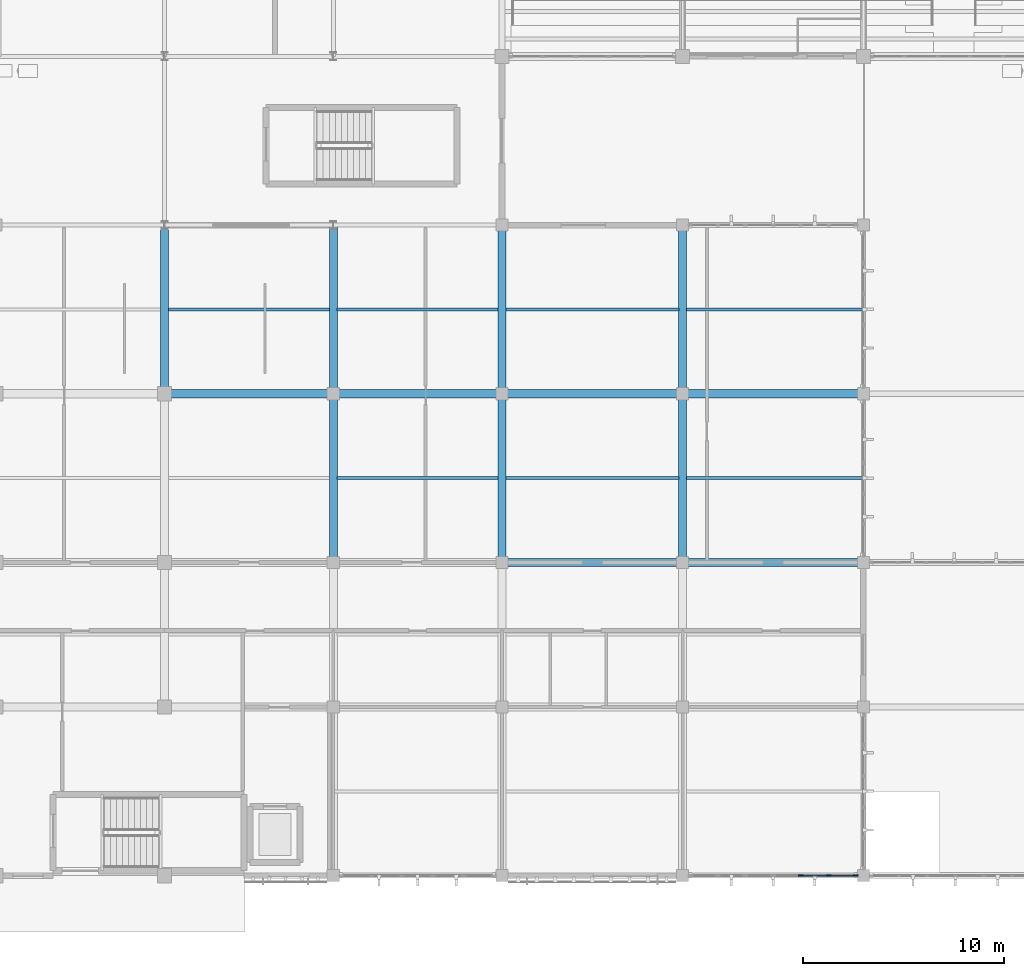
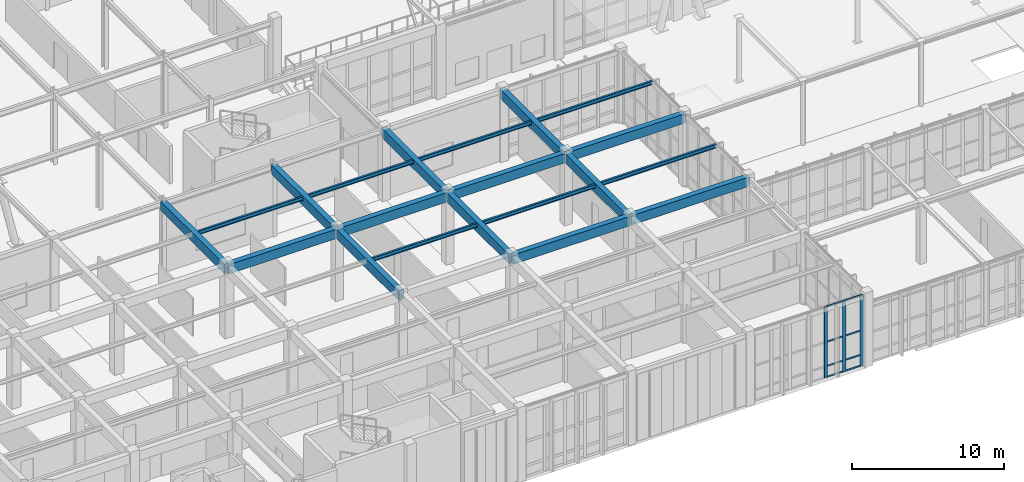
# One storey, part 27 of 110: 20 beams, 11 members, 1 element without a shape of its own.
"""IFC4 building model written with IfcOpenShell, lengths in metres."""

from ifc_helpers import new_model, si_unit, direction, frame, origin, origin_2d, place, context, subcontext, project, spatial, rectangle, i_section, extrude, material, material_profile, profile_set, type_object, element, aggregate, save


model = new_model("IFC4")

# Units and contexts
model_context = context("Model", 3, precision=1e-05, world=origin(), true_north=direction((0.0, 1.0)))
body_context = subcontext(model_context, "Body", "Model", "MODEL_VIEW")
ifc_project = project(units=[si_unit("LENGTHUNIT", "METRE"), si_unit("AREAUNIT", "SQUARE_METRE"), si_unit("VOLUMEUNIT", "CUBIC_METRE"), si_unit("PLANEANGLEUNIT", "RADIAN"), si_unit("MASSUNIT", "GRAM", prefix="KILO")], contexts=[model_context])

# Site, building, storey
site_placement = place(None, origin())
site = spatial("IfcSite", under=ifc_project, at=site_placement, CompositionType="ELEMENT")
building_placement = place(site_placement, origin())
building = spatial("IfcBuilding", under=site, at=building_placement, Name="Tizgana Railside Sports Hall", CompositionType="ELEMENT")
storey_placement = place(building_placement, origin())
storey = spatial("IfcBuildingStorey", under=building, at=storey_placement, Name="L00", CompositionType="ELEMENT", Elevation=0.0)

# Beams
ifc_material_1 = material(Name="Concrete C35/45", Category="concrete")
ifc_material_profile_1 = material_profile(ifc_material_1, rectangle(XDim=0.39990234375, YDim=0.75, at=origin_2d()), Name="RCB 400x750")
ifc_profile_set_1 = profile_set([ifc_material_profile_1], Name="Concrete C35/45")
beam_type_1 = type_object("IfcBeamType", Name="Concrete Beam RCB 400x750", PredefinedType="BEAM", material=ifc_profile_set_1)
for number, where, z_axis, x_axis, name in (
    (1, (63.0, 24.0, 5.35107421875), (0.0, 1.0, 0.0), (-1.0, 0.0, 0.0), "L00 BEM-0361"),
    (2, (71.39990234375, 15.60009765625, 5.37109375), (0.0, 1.0, 0.0), (-1.0, 0.0, 0.0), "L00 BEM-0364"),
    (3, (71.39990234375, 24.0, 5.35107421875), (0.0, 1.0, 0.0), (-1.0, 0.0, 0.0), "L00 BEM-0365"),
    (4, (79.800048828125, 15.60009765625, 5.37109375), (0.0, 1.0, 0.0), (-1.0, 0.0, 0.0), "L00 BEM-0368"),
    (5, (79.800048828125, 24.0, 5.37109375), (0.0, 1.0, 0.0), (-1.0, 0.0, 0.0), "L00 BEM-0369"),
    (6, (88.800048828125, 15.60009765625, 5.37109375), (0.0, 1.0, 0.0), (-1.0, 0.0, 0.0), "L00 BEM-0372"),
    (7, (88.800048828125, 24.0, 5.37109375), (0.0, 1.0, 0.0), (-1.0, 0.0, 0.0), "L00 BEM-0373"),
    (8, (63.0, 24.0, 5.37109375), (1.0, 0.0, 0.0), (0.0, 1.0, 0.0), "L00 BEM-0433"),
):
    element("IfcBeam", number, at=place(storey_placement, frame(where, z_axis=z_axis, x_axis=x_axis)), inside=storey, type_object=beam_type_1, Name=name, PredefinedType="BEAM", context=body_context, shape_type="SweptSolid", body=[
        extrude(rectangle(XDim=0.39990234375, YDim=0.75, at=origin_2d()), origin(), (0.0, 0.0, 1.0), 8.39990234375),
    ])
beam_placement = place(storey_placement, frame((71.39990234375, 24.0, 5.37109375), z_axis=(1.0, 0.0, 0.0), x_axis=(0.0, 1.0, 0.0)))
element("IfcBeam", 9, at=beam_placement, inside=storey, type_object=beam_type_1, Name="L00 BEM-0441", PredefinedType="BEAM", context=body_context, shape_type="SweptSolid", body=[
    extrude(rectangle(XDim=0.39990234375, YDim=0.75, at=origin_2d()), origin(), (0.0, 0.0, 1.0), 8.400146484375),
])
for number, where, z_axis, x_axis, name in (
    (10, (79.800048828125, 15.60009765625, 5.37109375), (1.0, 0.0, 0.0), (0.0, 1.0, 0.0), "L00 BEM-0449"),
    (11, (79.800048828125, 24.0, 5.37109375), (1.0, 0.0, 0.0), (0.0, 1.0, 0.0), "L00 BEM-0450"),
    (12, (88.800048828125, 15.60009765625, 5.37109375), (1.0, 0.0, 0.0), (0.0, 1.0, 0.0), "L00 BEM-0458"),
    (13, (88.800048828125, 24.0, 5.37109375), (1.0, 0.0, 0.0), (0.0, 1.0, 0.0), "L00 BEM-0459"),
):
    element("IfcBeam", number, at=place(storey_placement, frame(where, z_axis=z_axis, x_axis=x_axis)), inside=storey, type_object=beam_type_1, Name=name, PredefinedType="BEAM", context=body_context, shape_type="SweptSolid", body=[
        extrude(rectangle(XDim=0.39990234375, YDim=0.75, at=origin_2d()), origin(), (0.0, 0.0, 1.0), 9.0),
    ])

# Curtain wall, members
ifc_material_2 = material(Name="Anodised aluminium and glass", Category="aluminium")
curtain_wall_type = type_object("IfcCurtainWallType", Name="Unitised Curtain Wall Passage 1800", PredefinedType="NOTDEFINED", material=ifc_material_2)
curtain_wall_placement = place(storey_placement, origin())
curtain_wall = element("IfcCurtainWall", 14, at=curtain_wall_placement, inside=storey, type_object=curtain_wall_type, Name="L00 Curtain Wall CW-0077", PredefinedType="NOTDEFINED")
ifc_material_3 = material(Name="Anodised aluminium", Category="aluminium")
ifc_material_profile_2 = material_profile(ifc_material_3, rectangle(XDim=0.074951171875, YDim=0.25, at=origin_2d()), Name="Mullion 75x250")
ifc_profile_set_2 = profile_set([ifc_material_profile_2], Name="Anodised aluminium")
member_type_1 = type_object("IfcMemberType", Name="Mullion 75x250", PredefinedType="MULLION", material=ifc_profile_set_2)
member_1_placement = place(storey_placement, frame((97.407470703125, 0.0, 0.044921875), z_axis=(0.0, 0.0, 1.0), x_axis=(0.0, -1.0, 0.0)))
member_1 = element("IfcMember", 15, at=member_1_placement, type_object=member_type_1, Name="CW-06 mullion 1", PredefinedType="MULLION", context=body_context, shape_type="SweptSolid", body=[
    extrude(rectangle(XDim=0.074951171875, YDim=0.25, at=origin_2d()), origin(), (0.0, 0.0, 1.0), 5.705078125),
])
member_2_placement = place(storey_placement, frame((96.063232421875, 0.0, 0.044921875), z_axis=(0.0, 0.0, 1.0), x_axis=(0.0, -1.0, 0.0)))
member_2 = element("IfcMember", 16, at=member_2_placement, type_object=member_type_1, Name="CW-06 mullion 2", PredefinedType="MULLION", context=body_context, shape_type="SweptSolid", body=[
    extrude(rectangle(XDim=0.074951171875, YDim=0.25, at=origin_2d()), origin(), (0.0, 0.0, 1.0), 5.705078125),
])
member_3_placement = place(storey_placement, frame((94.681640625, 0.0, 0.044921875), z_axis=(0.0, 0.0, 1.0), x_axis=(0.0, -1.0, 0.0)))
member_3 = element("IfcMember", 17, at=member_3_placement, type_object=member_type_1, Name="CW-06 mullion 3", PredefinedType="MULLION", context=body_context, shape_type="SweptSolid", body=[
    extrude(rectangle(XDim=0.074951171875, YDim=0.25, at=origin_2d()), origin(), (0.0, 0.0, 1.0), 5.705078125),
])

# Beams
ifc_material_4 = material(Name="Steel S355J2", Category="steel")
ifc_material_profile_3 = material_profile(ifc_material_4, i_section(OverallWidth=0.14990234375, OverallDepth=0.300048828125, WebThickness=0.007080078125, FlangeThickness=0.0107421875, FilletRadius=0.014892578125, at=origin_2d()), Name="IPE 300")
ifc_profile_set_3 = profile_set([ifc_material_profile_3], Name="Steel S355J2")
beam_type_2 = type_object("IfcBeamType", Name="Steel Joist IPE 300", PredefinedType="JOIST", material=ifc_profile_set_3)
for number, where, z_axis, x_axis, name in (
    (18, (63.195068359375, 28.199951171875, 5.595947265625), (1.0, 0.0, 0.0), (0.0, 1.0, 0.0), "L00 BEM-0437"),
    (19, (71.594970703125, 19.800048828125, 5.595947265625), (1.0, 0.0, 0.0), (0.0, 1.0, 0.0), "L00 BEM-0445"),
    (20, (71.594970703125, 28.199951171875, 5.595947265625), (1.0, 0.0, 0.0), (0.0, 1.0, 0.0), "L00 BEM-0446"),
):
    element("IfcBeam", number, at=place(storey_placement, frame(where, z_axis=z_axis, x_axis=x_axis)), inside=storey, type_object=beam_type_2, Name=name, PredefinedType="JOIST", context=body_context, shape_type="SweptSolid", body=[
        extrude(i_section(OverallWidth=0.14990234375, OverallDepth=0.300048828125, WebThickness=0.007080078125, FlangeThickness=0.0107421875, FilletRadius=0.014892578125, at=origin_2d()), origin(), (0.0, 0.0, 1.0), 8.010009765625),
    ])
for number, where, z_axis, x_axis, name in (
    (21, (79.9951171875, 19.800048828125, 5.595947265625), (1.0, 0.0, 0.0), (0.0, 1.0, 0.0), "L00 BEM-0454"),
    (22, (79.9951171875, 28.199951171875, 5.595947265625), (1.0, 0.0, 0.0), (0.0, 1.0, 0.0), "L00 BEM-0455"),
):
    element("IfcBeam", number, at=place(storey_placement, frame(where, z_axis=z_axis, x_axis=x_axis)), inside=storey, type_object=beam_type_2, Name=name, PredefinedType="JOIST", context=body_context, shape_type="SweptSolid", body=[
        extrude(i_section(OverallWidth=0.14990234375, OverallDepth=0.300048828125, WebThickness=0.007080078125, FlangeThickness=0.0107421875, FilletRadius=0.014892578125, at=origin_2d()), origin(), (0.0, 0.0, 1.0), 8.60986328125),
    ])
for number, where, z_axis, x_axis, name in (
    (23, (88.9951171875, 19.800048828125, 5.595947265625), (1.0, 0.0, 0.0), (0.0, 1.0, 0.0), "L00 BEM-0463"),
    (24, (88.9951171875, 28.199951171875, 5.595947265625), (1.0, 0.0, 0.0), (0.0, 1.0, 0.0), "L00 BEM-0464"),
):
    element("IfcBeam", number, at=place(storey_placement, frame(where, z_axis=z_axis, x_axis=x_axis)), inside=storey, type_object=beam_type_2, Name=name, PredefinedType="JOIST", context=body_context, shape_type="SweptSolid", body=[
        extrude(i_section(OverallWidth=0.14990234375, OverallDepth=0.300048828125, WebThickness=0.007080078125, FlangeThickness=0.0107421875, FilletRadius=0.014892578125, at=origin_2d()), origin(), (0.0, 0.0, 1.0), 8.804931640625),
    ])

# Member
ifc_material_profile_4 = material_profile(ifc_material_3, rectangle(XDim=0.054931640625, YDim=0.1201171875, at=origin_2d()), Name="Transom 55x120")
ifc_profile_set_4 = profile_set([ifc_material_profile_4], Name="Anodised aluminium")
member_type_2 = type_object("IfcMemberType", Name="Transom 55x120", PredefinedType="USERDEFINED", material=ifc_profile_set_4)
member_4_placement = place(storey_placement, frame((97.3701171875, 0.0, 0.072509765625), z_axis=(-1.0, 0.0, 0.0), x_axis=(0.0, -1.0, 0.0)))
member_4 = element("IfcMember", 25, at=member_4_placement, type_object=member_type_2, Name="CW-06 transom 1.1", ObjectType="TRANSOM", PredefinedType="USERDEFINED", context=body_context, shape_type="SweptSolid", body=[
    extrude(rectangle(XDim=0.054931640625, YDim=0.1201171875, at=origin_2d()), origin(), (0.0, 0.0, 1.0), 1.269287109375),
])

member_5_placement = place(storey_placement, frame((97.3701171875, 0.0, 0.945068359375), z_axis=(-1.0, 0.0, 0.0), x_axis=(0.0, -1.0, 0.0)))
member_5 = element("IfcMember", 26, at=member_5_placement, type_object=member_type_2, Name="CW-06 transom 1.2", ObjectType="TRANSOM", PredefinedType="USERDEFINED", context=body_context, shape_type="SweptSolid", body=[
    extrude(rectangle(XDim=0.054931640625, YDim=0.1201171875, at=origin_2d()), origin(), (0.0, 0.0, 1.0), 1.269287109375),
])

member_6_placement = place(storey_placement, frame((97.3701171875, 0.0, 2.8974609375), z_axis=(-1.0, 0.0, 0.0), x_axis=(0.0, -1.0, 0.0)))
member_6 = element("IfcMember", 27, at=member_6_placement, type_object=member_type_2, Name="CW-06 transom 1.3", ObjectType="TRANSOM", PredefinedType="USERDEFINED", context=body_context, shape_type="SweptSolid", body=[
    extrude(rectangle(XDim=0.054931640625, YDim=0.1201171875, at=origin_2d()), origin(), (0.0, 0.0, 1.0), 1.269287109375),
])

member_7_placement = place(storey_placement, frame((97.3701171875, 0.0, 5.722412109375), z_axis=(-1.0, 0.0, 0.0), x_axis=(0.0, -1.0, 0.0)))
member_7 = element("IfcMember", 28, at=member_7_placement, type_object=member_type_2, Name="CW-06 transom 1.4", ObjectType="TRANSOM", PredefinedType="USERDEFINED", context=body_context, shape_type="SweptSolid", body=[
    extrude(rectangle(XDim=0.054931640625, YDim=0.1201171875, at=origin_2d()), origin(), (0.0, 0.0, 1.0), 1.269287109375),
])

member_8_placement = place(storey_placement, frame((96.02587890625, 0.0, 0.072509765625), z_axis=(-1.0, 0.0, 0.0), x_axis=(0.0, -1.0, 0.0)))
member_8 = element("IfcMember", 29, at=member_8_placement, type_object=member_type_2, Name="CW-06 transom 2.1", ObjectType="TRANSOM", PredefinedType="USERDEFINED", context=body_context, shape_type="SweptSolid", body=[
    extrude(rectangle(XDim=0.054931640625, YDim=0.1201171875, at=origin_2d()), origin(), (0.0, 0.0, 1.0), 1.306640625),
])

member_9_placement = place(storey_placement, frame((96.02587890625, 0.0, 0.945068359375), z_axis=(-1.0, 0.0, 0.0), x_axis=(0.0, -1.0, 0.0)))
member_9 = element("IfcMember", 30, at=member_9_placement, type_object=member_type_2, Name="CW-06 transom 2.2", ObjectType="TRANSOM", PredefinedType="USERDEFINED", context=body_context, shape_type="SweptSolid", body=[
    extrude(rectangle(XDim=0.054931640625, YDim=0.1201171875, at=origin_2d()), origin(), (0.0, 0.0, 1.0), 1.306640625),
])

member_10_placement = place(storey_placement, frame((96.02587890625, 0.0, 2.8974609375), z_axis=(-1.0, 0.0, 0.0), x_axis=(0.0, -1.0, 0.0)))
member_10 = element("IfcMember", 31, at=member_10_placement, type_object=member_type_2, Name="CW-06 transom 2.3", ObjectType="TRANSOM", PredefinedType="USERDEFINED", context=body_context, shape_type="SweptSolid", body=[
    extrude(rectangle(XDim=0.054931640625, YDim=0.1201171875, at=origin_2d()), origin(), (0.0, 0.0, 1.0), 1.306640625),
])

member_11_placement = place(storey_placement, frame((96.02587890625, 0.0, 5.722412109375), z_axis=(-1.0, 0.0, 0.0), x_axis=(0.0, -1.0, 0.0)))
member_11 = element("IfcMember", 32, at=member_11_placement, type_object=member_type_2, Name="CW-06 transom 2.4", ObjectType="TRANSOM", PredefinedType="USERDEFINED", context=body_context, shape_type="SweptSolid", body=[
    extrude(rectangle(XDim=0.054931640625, YDim=0.1201171875, at=origin_2d()), origin(), (0.0, 0.0, 1.0), 1.306640625),
])

aggregate(curtain_wall, [member_1, member_2, member_3, member_4, member_5, member_6, member_7, member_8, member_9, member_10, member_11])

save(model, "model.ifc")
